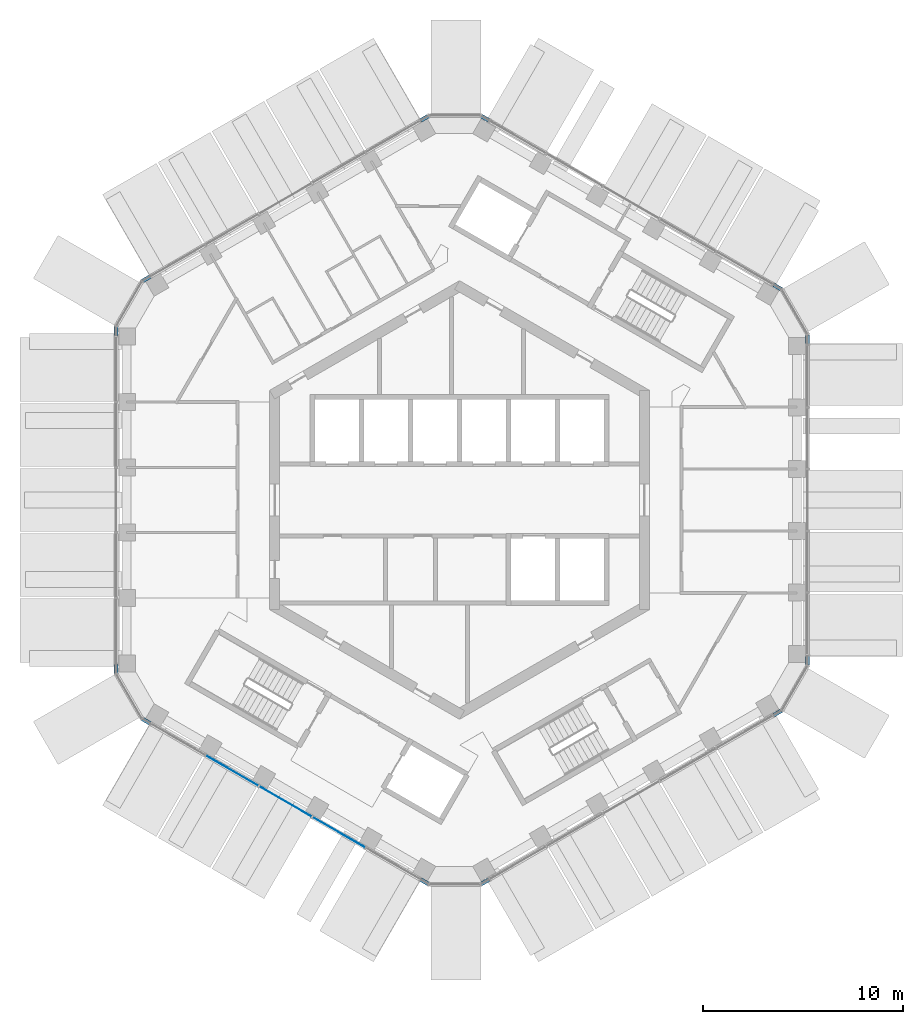
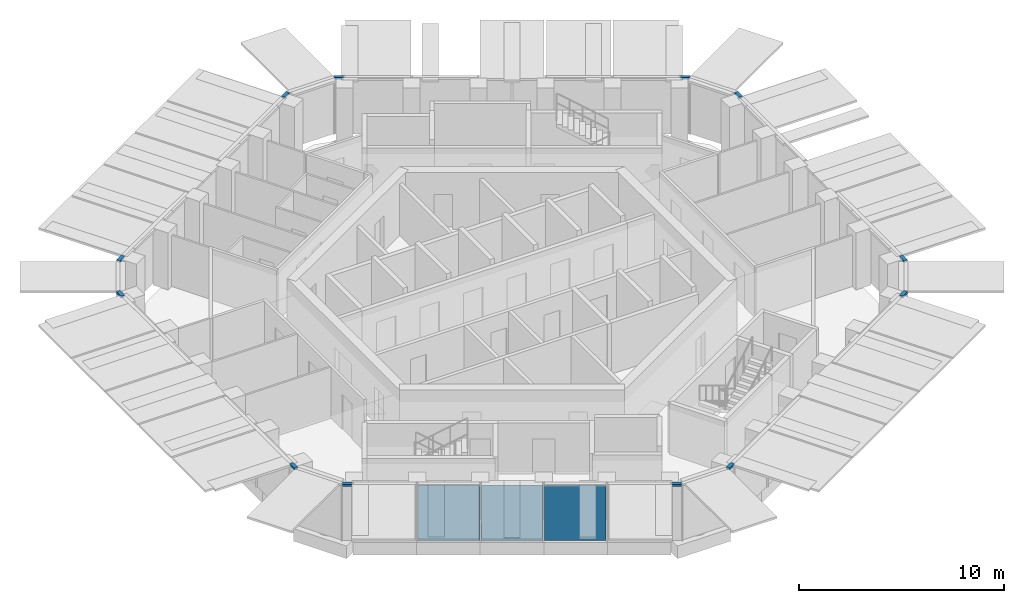
# One storey, part 6 of 17: 12 members, 3 plates, 7 elements without a shape of their own.
"""IFC4 building model written with IfcOpenShell, lengths in metres."""

from ifc_helpers import new_model, si_unit, direction, frame, origin, origin_2d, place, context, subcontext, project, spatial, rectangle, extrude, material, layer, layer_set, material_profile, profile_set, type_object, element, aggregate, save


model = new_model("IFC4")

# Units and contexts
model_context = context("Model", 3, precision=1e-05, world=origin(), true_north=direction((0.0, 1.0)))
body_context = subcontext(model_context, "Body", "Model", "MODEL_VIEW")
ifc_project = project(units=[si_unit("LENGTHUNIT", "METRE"), si_unit("AREAUNIT", "SQUARE_METRE"), si_unit("VOLUMEUNIT", "CUBIC_METRE"), si_unit("PLANEANGLEUNIT", "RADIAN"), si_unit("MASSUNIT", "GRAM", prefix="KILO")], contexts=[model_context])

# Site, building, storey
site_placement = place(None, origin())
site = spatial("IfcSite", under=ifc_project, at=site_placement, CompositionType="ELEMENT")
building_placement = place(site_placement, origin())
building = spatial("IfcBuilding", under=site, at=building_placement, Name="Ayvan Gate Tower", CompositionType="ELEMENT")
storey_placement = place(building_placement, frame((0.0, 0.0, 232.5)))
storey = spatial("IfcBuildingStorey", under=building, at=storey_placement, Name="L62", CompositionType="ELEMENT", Elevation=232.5)

# Curtain wall, members
ifc_material_1 = material(Name="Bronze anodised aluminium", Category="aluminium")
ifc_layer_1 = layer(ifc_material_1, 0.199951171875)
ifc_layer_set_1 = layer_set([ifc_layer_1], Name="Bronze anodised aluminium")
curtain_wall_type_1 = type_object("IfcCurtainWallType", Name="Stick curtain wall CW-6", PredefinedType="NOTDEFINED", material=ifc_layer_set_1)
curtain_wall_1_placement = place(storey_placement, origin())
curtain_wall_1 = element("IfcCurtainWall", 1, at=curtain_wall_1_placement, inside=storey, type_object=curtain_wall_type_1, Name="Stick curtain wall CW-6 L62", PredefinedType="NOTDEFINED")
ifc_material_profile = material_profile(ifc_material_1, rectangle(XDim=0.199951171875, YDim=0.1201171875, at=origin_2d()), Name="Stick curtain wall CW-6 transom 200 x 120")
ifc_profile_set = profile_set([ifc_material_profile], Name="Bronze anodised aluminium")
member_type = type_object("IfcMemberType", Name="Stick curtain wall CW-6 transom 200 x 120", PredefinedType="USERDEFINED", material=ifc_profile_set)
member_1_placement = place(storey_placement, frame((-15.472412109375, 11.173095703125, 3.340087890625), z_axis=(-0.866131372301, -0.499816412211, 0.0), x_axis=(0.499816412211, -0.866131372301, 0.0)))
member_1 = element("IfcMember", 2, at=member_1_placement, type_object=member_type, Name="CW-6 transom 1", ObjectType="TRANSOM", PredefinedType="USERDEFINED", context=body_context, shape_type="SweptSolid", body=[
    extrude(rectangle(XDim=0.199951171875, YDim=0.1201171875, at=origin_2d()), origin(), (0.0, 0.0, 1.0), 0.449951171875),
])
member_2_placement = place(storey_placement, frame((-17.175048828125, 8.674072265625, 3.340087890625), z_axis=(0.0, -1.0, 0.0), x_axis=(1.0, 0.0, 0.0)))
member_2 = element("IfcMember", 3, at=member_2_placement, type_object=member_type, Name="CW-6 transom 3", ObjectType="TRANSOM", PredefinedType="USERDEFINED", context=body_context, shape_type="SweptSolid", body=[
    extrude(rectangle(XDim=0.199951171875, YDim=0.1201171875, at=origin_2d()), origin(), (0.0, 0.0, 1.0), 0.449951171875),
])
aggregate(curtain_wall_1, [member_1, member_2])

curtain_wall_2_placement = place(storey_placement, origin())
curtain_wall_2 = element("IfcCurtainWall", 4, at=curtain_wall_2_placement, inside=storey, type_object=curtain_wall_type_1, Name="Stick curtain wall CW-6 L62", PredefinedType="NOTDEFINED")
member_3_placement = place(storey_placement, frame((-17.175048828125, -8.22412109375, 3.340087890625), z_axis=(0.0, -1.0, 0.0), x_axis=(1.0, 0.0, 0.0)))
member_3 = element("IfcMember", 5, at=member_3_placement, type_object=member_type, Name="CW-6 transom 1", ObjectType="TRANSOM", PredefinedType="USERDEFINED", context=body_context, shape_type="SweptSolid", body=[
    extrude(rectangle(XDim=0.199951171875, YDim=0.1201171875, at=origin_2d()), origin(), (0.0, 0.0, 1.0), 0.449951171875),
])
member_4_placement = place(storey_placement, frame((-15.862060546875, -10.9482421875, 3.340087890625), z_axis=(0.866131372301, -0.499816412211, 0.0), x_axis=(0.499816412211, 0.866131372301, 0.0)))
member_4 = element("IfcMember", 6, at=member_4_placement, type_object=member_type, Name="CW-6 transom 3", ObjectType="TRANSOM", PredefinedType="USERDEFINED", context=body_context, shape_type="SweptSolid", body=[
    extrude(rectangle(XDim=0.199951171875, YDim=0.1201171875, at=origin_2d()), origin(), (0.0, 0.0, 1.0), 0.449951171875),
])
aggregate(curtain_wall_2, [member_3, member_4])

curtain_wall_3_placement = place(storey_placement, origin())
curtain_wall_3 = element("IfcCurtainWall", 7, at=curtain_wall_3_placement, inside=storey, type_object=curtain_wall_type_1, Name="Stick curtain wall CW-6 L62", PredefinedType="NOTDEFINED")
member_5_placement = place(storey_placement, frame((-1.93994140625, -18.986083984375, 3.340087890625), z_axis=(0.865896406789, -0.500223362819, 0.0), x_axis=(0.500223362819, 0.865896406789, 0.0)))
member_5 = element("IfcMember", 8, at=member_5_placement, type_object=member_type, Name="CW-6 transom 1", ObjectType="TRANSOM", PredefinedType="USERDEFINED", context=body_context, shape_type="SweptSolid", body=[
    extrude(rectangle(XDim=0.199951171875, YDim=0.1201171875, at=origin_2d()), origin(), (0.0, 0.0, 1.0), 0.449951171875),
])
member_6_placement = place(storey_placement, frame((1.075439453125, -19.211181640625, 3.340087890625), z_axis=(0.866032067792, 0.499988457423, 0.0), x_axis=(-0.499988457423, 0.866032067792, 0.0)))
member_6 = element("IfcMember", 9, at=member_6_placement, type_object=member_type, Name="CW-6 transom 3", ObjectType="TRANSOM", PredefinedType="USERDEFINED", context=body_context, shape_type="SweptSolid", body=[
    extrude(rectangle(XDim=0.199951171875, YDim=0.1201171875, at=origin_2d()), origin(), (0.0, 0.0, 1.0), 0.4501953125),
])
aggregate(curtain_wall_3, [member_5, member_6])

curtain_wall_4_placement = place(storey_placement, origin())
curtain_wall_4 = element("IfcCurtainWall", 10, at=curtain_wall_4_placement, inside=storey, type_object=curtain_wall_type_1, Name="Stick curtain wall CW-6 L62", PredefinedType="NOTDEFINED")
member_7_placement = place(storey_placement, frame((15.7099609375, -10.761962890625, 3.340087890625), z_axis=(0.866131372301, 0.499816412211, 0.0), x_axis=(-0.499816412211, 0.866131372301, 0.0)))
member_7 = element("IfcMember", 11, at=member_7_placement, type_object=member_type, Name="CW-6 transom 1", ObjectType="TRANSOM", PredefinedType="USERDEFINED", context=body_context, shape_type="SweptSolid", body=[
    extrude(rectangle(XDim=0.199951171875, YDim=0.1201171875, at=origin_2d()), origin(), (0.0, 0.0, 1.0), 0.449951171875),
])
member_8_placement = place(storey_placement, frame((17.41259765625, -8.262939453125, 3.340087890625), z_axis=(0.0, 1.0, 0.0), x_axis=(-1.0, 0.0, 0.0)))
member_8 = element("IfcMember", 12, at=member_8_placement, type_object=member_type, Name="CW-6 transom 3", ObjectType="TRANSOM", PredefinedType="USERDEFINED", context=body_context, shape_type="SweptSolid", body=[
    extrude(rectangle(XDim=0.199951171875, YDim=0.1201171875, at=origin_2d()), origin(), (0.0, 0.0, 1.0), 0.449951171875),
])
aggregate(curtain_wall_4, [member_7, member_8])

curtain_wall_5_placement = place(storey_placement, origin())
curtain_wall_5 = element("IfcCurtainWall", 13, at=curtain_wall_5_placement, inside=storey, type_object=curtain_wall_type_1, Name="Stick curtain wall CW-6 L62", PredefinedType="NOTDEFINED")
member_9_placement = place(storey_placement, frame((17.41259765625, 7.81298828125, 3.340087890625), z_axis=(0.0, 1.0, 0.0), x_axis=(-1.0, 0.0, 0.0)))
member_9 = element("IfcMember", 14, at=member_9_placement, type_object=member_type, Name="CW-6 transom 1", ObjectType="TRANSOM", PredefinedType="USERDEFINED", context=body_context, shape_type="SweptSolid", body=[
    extrude(rectangle(XDim=0.199951171875, YDim=0.1201171875, at=origin_2d()), origin(), (0.0, 0.0, 1.0), 0.449951171875),
])
member_10_placement = place(storey_placement, frame((16.099609375, 10.537109375, 3.340087890625), z_axis=(-0.866131372301, 0.499816412211, 0.0), x_axis=(-0.499816412211, -0.866131372301, 0.0)))
member_10 = element("IfcMember", 15, at=member_10_placement, type_object=member_type, Name="CW-6 transom 3", ObjectType="TRANSOM", PredefinedType="USERDEFINED", context=body_context, shape_type="SweptSolid", body=[
    extrude(rectangle(XDim=0.199951171875, YDim=0.1201171875, at=origin_2d()), origin(), (0.0, 0.0, 1.0), 0.449951171875),
])
aggregate(curtain_wall_5, [member_9, member_10])

curtain_wall_6_placement = place(storey_placement, origin())
curtain_wall_6 = element("IfcCurtainWall", 16, at=curtain_wall_6_placement, inside=storey, type_object=curtain_wall_type_1, Name="Stick curtain wall CW-6 L62", PredefinedType="NOTDEFINED")
member_11_placement = place(storey_placement, frame((1.46533203125, 18.986083984375, 3.340087890625), z_axis=(-0.866032067792, 0.499988457423, 0.0), x_axis=(-0.499988457423, -0.866032067792, 0.0)))
member_11 = element("IfcMember", 17, at=member_11_placement, type_object=member_type, Name="CW-6 transom 1", ObjectType="TRANSOM", PredefinedType="USERDEFINED", context=body_context, shape_type="SweptSolid", body=[
    extrude(rectangle(XDim=0.199951171875, YDim=0.1201171875, at=origin_2d()), origin(), (0.0, 0.0, 1.0), 0.4501953125),
])
member_12_placement = place(storey_placement, frame((-1.55029296875, 19.211181640625, 3.340087890625), z_axis=(-0.865896406789, -0.500223362819, 0.0), x_axis=(0.500223362819, -0.865896406789, 0.0)))
member_12 = element("IfcMember", 18, at=member_12_placement, type_object=member_type, Name="CW-6 transom 3", ObjectType="TRANSOM", PredefinedType="USERDEFINED", context=body_context, shape_type="SweptSolid", body=[
    extrude(rectangle(XDim=0.199951171875, YDim=0.1201171875, at=origin_2d()), origin(), (0.0, 0.0, 1.0), 0.449951171875),
])
aggregate(curtain_wall_6, [member_11, member_12])

# Curtain wall, plates
ifc_layer_2 = layer(ifc_material_1, 0.199951171875)
ifc_layer_set_2 = layer_set([ifc_layer_2], Name="Bronze anodised aluminium")
curtain_wall_type_2 = type_object("IfcCurtainWallType", Name="Stick curtain wall CW-2", PredefinedType="NOTDEFINED", material=ifc_layer_set_2)
curtain_wall_7_placement = place(storey_placement, origin())
curtain_wall_7 = element("IfcCurtainWall", 19, at=curtain_wall_7_placement, inside=storey, type_object=curtain_wall_type_2, Name="Stick curtain wall CW-2 L62", PredefinedType="NOTDEFINED")
ifc_material_2 = material(Name="Clear low-iron laminated glass", Category="glass")
ifc_layer_3 = layer(ifc_material_2, 0.028076171875)
ifc_layer_set_3 = layer_set([ifc_layer_3], Name="Clear low-iron laminated glass")
plate_type = type_object("IfcPlateType", Name="Stick curtain wall CW-2 glass panel", PredefinedType="CURTAIN_PANEL", material=ifc_layer_set_3)
plate_1_placement = place(storey_placement, frame((-11.376953125, -13.53759765625, 0.0), z_axis=(0.0, 0.0, 1.0), x_axis=(0.866025403784, -0.5, 0.0)))
plate_1 = element("IfcPlate", 20, at=plate_1_placement, type_object=plate_type, Name="CW-2 glass panel 2", PredefinedType="CURTAIN_PANEL", context=body_context, shape_type="SweptSolid", body=[
    extrude(rectangle(XDim=3.013916015625, YDim=0.028076171875, at=origin_2d()), origin(), (0.0, 0.0, 1.0), 3.280029296875),
])
plate_2_placement = place(storey_placement, frame((-8.706298828125, -15.07958984375, 0.0), z_axis=(0.0, 0.0, 1.0), x_axis=(0.866025403784, -0.5, 0.0)))
plate_2 = element("IfcPlate", 21, at=plate_2_placement, type_object=plate_type, Name="CW-2 glass panel 3", PredefinedType="CURTAIN_PANEL", context=body_context, shape_type="SweptSolid", body=[
    extrude(rectangle(XDim=3.013916015625, YDim=0.028076171875, at=origin_2d()), origin(), (0.0, 0.0, 1.0), 3.280029296875),
])
plate_3_placement = place(storey_placement, frame((-6.035400390625, -16.62158203125, 0.0), z_axis=(0.0, 0.0, 1.0), x_axis=(0.866025403784, -0.5, 0.0)))
plate_3 = element("IfcPlate", 22, at=plate_3_placement, type_object=plate_type, Name="CW-2 glass panel 4", PredefinedType="CURTAIN_PANEL", context=body_context, shape_type="SweptSolid", body=[
    extrude(rectangle(XDim=3.013916015625, YDim=0.028076171875, at=origin_2d()), origin(), (0.0, 0.0, 1.0), 3.280029296875),
])
aggregate(curtain_wall_7, [plate_1, plate_2, plate_3])

save(model, "model.ifc")
